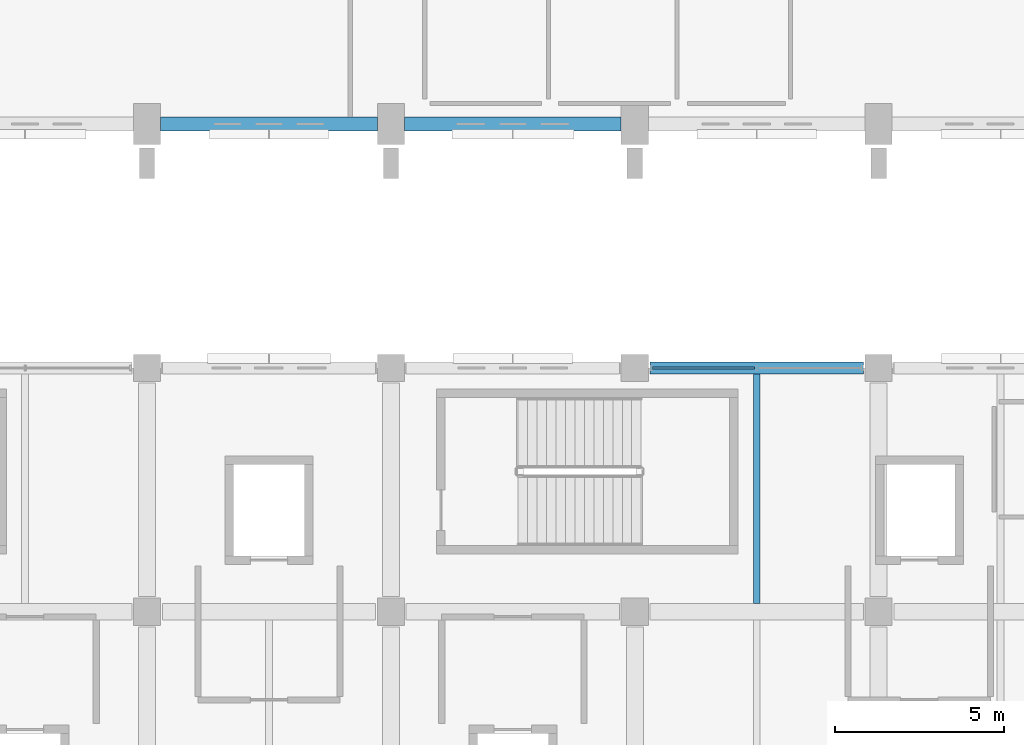
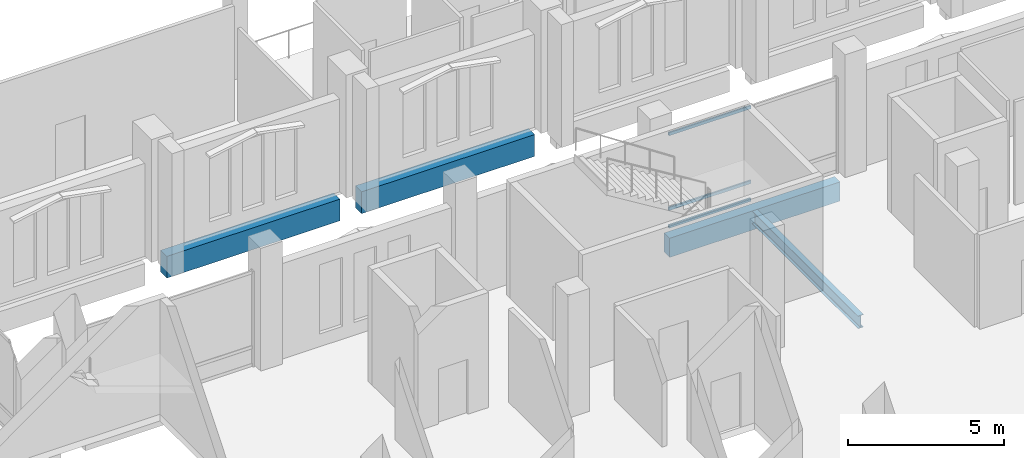
# One storey, part 96 of 220: 4 beams, 3 members, 1 element without a shape of its own.
"""IFC4 building model written with IfcOpenShell, lengths in metres."""

from ifc_helpers import new_model, si_unit, direction, frame, origin, origin_2d, place, context, subcontext, project, spatial, rectangle, hollow_rectangle, i_section, extrude, material, material_profile, profile_set, type_object, element, aggregate, save


model = new_model("IFC4")

# Units and contexts
model_context = context("Model", 3, precision=1e-05, world=origin(), true_north=direction((0.0, 1.0)))
body_context = subcontext(model_context, "Body", "Model", "MODEL_VIEW")
ifc_project = project(units=[si_unit("LENGTHUNIT", "METRE"), si_unit("AREAUNIT", "SQUARE_METRE"), si_unit("VOLUMEUNIT", "CUBIC_METRE"), si_unit("PLANEANGLEUNIT", "RADIAN"), si_unit("MASSUNIT", "GRAM", prefix="KILO")], contexts=[model_context])

# Site, building, storey
site_placement = place(None, origin())
site = spatial("IfcSite", under=ifc_project, at=site_placement, CompositionType="ELEMENT")
building_placement = place(site_placement, origin())
building = spatial("IfcBuilding", under=site, at=building_placement, Name="Cendralis Lancet Convention Centre", CompositionType="ELEMENT")
storey_placement = place(building_placement, frame((0.0, 0.0, 5.39990234375)))
storey = spatial("IfcBuildingStorey", under=building, at=storey_placement, Name="L01", CompositionType="ELEMENT", Elevation=5.39990234375)

# Curtain wall, members
ifc_material_1 = material(Name="Anodised bronze architectural aluminium", Category="aluminium")
curtain_wall_type = type_object("IfcCurtainWallType", Name="ARC-CW-CL02", PredefinedType="USERDEFINED", material=ifc_material_1)
curtain_wall_placement = place(storey_placement, origin())
curtain_wall = element("IfcCurtainWall", 1, at=curtain_wall_placement, inside=storey, type_object=curtain_wall_type, Name="L01 Curtain Wall CW-CL2 #183", ObjectType="CURTAIN WALL", PredefinedType="USERDEFINED")
ifc_material_profile_1 = material_profile(ifc_material_1, hollow_rectangle(XDim=0.06005859375, YDim=0.1201171875, WallThickness=0.00390625, at=origin_2d()), Name="AL-TRAN 60x120x4.0")
ifc_profile_set_1 = profile_set([ifc_material_profile_1], Name="Anodised bronze architectural aluminium")
member_type = type_object("IfcMemberType", Name="ARC-CW-TR01", PredefinedType="USERDEFINED", material=ifc_profile_set_1)
member_1_placement = place(storey_placement, frame((175.7099609375, 36.0, 0.06005859375), z_axis=(1.0, 0.0, 0.0), x_axis=(0.0, 1.0, 0.0)))
member_1 = element("IfcMember", 2, at=member_1_placement, type_object=member_type, Name="Transom CW2-CW-CL2-L01-183-T0BOT", ObjectType="TRANSOM", PredefinedType="USERDEFINED", context=body_context, shape_type="SweptSolid", body=[
    extrude(hollow_rectangle(XDim=0.06005859375, YDim=0.1201171875, WallThickness=0.00390625, at=origin_2d()), origin(), (0.0, 0.0, 1.0), 3.030029296875),
])
member_2_placement = place(storey_placement, frame((175.7099609375, 36.0, 0.75), z_axis=(1.0, 0.0, 0.0), x_axis=(0.0, 1.0, 0.0)))
member_2 = element("IfcMember", 3, at=member_2_placement, type_object=member_type, Name="Transom CW2-CW-CL2-L01-183-T0MID", ObjectType="TRANSOM", PredefinedType="USERDEFINED", context=body_context, shape_type="SweptSolid", body=[
    extrude(hollow_rectangle(XDim=0.06005859375, YDim=0.1201171875, WallThickness=0.00390625, at=origin_2d()), origin(), (0.0, 0.0, 1.0), 3.030029296875),
])
member_3_placement = place(storey_placement, frame((175.7099609375, 36.0, 3.675048828125), z_axis=(1.0, 0.0, 0.0), x_axis=(0.0, 1.0, 0.0)))
member_3 = element("IfcMember", 4, at=member_3_placement, type_object=member_type, Name="Transom CW2-CW-CL2-L01-183-T0TOP", ObjectType="TRANSOM", PredefinedType="USERDEFINED", context=body_context, shape_type="SweptSolid", body=[
    extrude(hollow_rectangle(XDim=0.06005859375, YDim=0.1201171875, WallThickness=0.00390625, at=origin_2d()), origin(), (0.0, 0.0, 1.0), 3.030029296875),
])
aggregate(curtain_wall, [member_1, member_2, member_3])

# Beams
ifc_material_2 = material(Name="Steel S355", Category="steel")
ifc_material_profile_2 = material_profile(ifc_material_2, i_section(OverallWidth=0.199951171875, OverallDepth=0.5, WebThickness=0.01025390625, FlangeThickness=0.01611328125, FilletRadius=0.02099609375, at=origin_2d()), Name="IPE 500")
ifc_profile_set_2 = profile_set([ifc_material_profile_2], Name="Steel S355")
beam_type_1 = type_object("IfcBeamType", Name="STR-JS-BJ06", PredefinedType="JOIST", material=ifc_profile_set_2)
beam_1_placement = place(storey_placement, frame((178.800048828125, 29.050048828125, -0.52978515625), z_axis=(0.0, 1.0, 0.0), x_axis=(-1.0, 0.0, 0.0)))
element("IfcBeam", 5, at=beam_1_placement, inside=storey, type_object=beam_type_1, Name="L01 Beam BJ06 #0241", PredefinedType="JOIST", context=body_context, shape_type="SweptSolid", body=[
    extrude(i_section(OverallWidth=0.199951171875, OverallDepth=0.5, WebThickness=0.01025390625, FlangeThickness=0.01611328125, FilletRadius=0.02099609375, at=origin_2d()), origin(), (0.0, 0.0, 1.0), 6.77490234375),
])
ifc_material_3 = material(Name="Concrete G40 (C40/50)", Category="concrete")
ifc_material_profile_3 = material_profile(ifc_material_3, rectangle(XDim=0.35009765625, YDim=0.75, at=origin_2d()), Name="RCB 350x750")
ifc_profile_set_3 = profile_set([ifc_material_profile_3], Name="Concrete G40 (C40/50)")
beam_type_2 = type_object("IfcBeamType", Name="STR-SP-SP01", PredefinedType="SPANDREL", material=ifc_profile_set_3)
beam_2_placement = place(storey_placement, frame((175.64990234375, 36.0, -0.65478515625), z_axis=(1.0, 0.0, 0.0), x_axis=(0.0, 1.0, 0.0)))
element("IfcBeam", 6, at=beam_2_placement, inside=storey, type_object=beam_type_2, Name="L01 Beam SP01 #0173", PredefinedType="SPANDREL", context=body_context, shape_type="SweptSolid", body=[
    extrude(rectangle(XDim=0.35009765625, YDim=0.75, at=origin_2d()), origin(), (0.0, 0.0, 1.0), 6.300048828125),
])
ifc_material_profile_4 = material_profile(ifc_material_3, rectangle(XDim=0.39990234375, YDim=0.85009765625, at=origin_2d()), Name="RCB 400x850")
ifc_profile_set_4 = profile_set([ifc_material_profile_4], Name="Concrete G40 (C40/50)")
beam_type_3 = type_object("IfcBeamType", Name="STR-SP-SP02", PredefinedType="SPANDREL", material=ifc_profile_set_4)
for number, where, z_axis, x_axis, name in (
    (7, (161.199951171875, 43.199951171875, -0.704833984375), (1.0, 0.0, 0.0), (0.0, 1.0, 0.0), "L01 Beam SP02 #1397"),
    (8, (168.39990234375, 43.199951171875, -0.704833984375), (1.0, 0.0, 0.0), (0.0, 1.0, 0.0), "L01 Beam SP02 #1398"),
):
    element("IfcBeam", number, at=place(storey_placement, frame(where, z_axis=z_axis, x_axis=x_axis)), inside=storey, type_object=beam_type_3, Name=name, PredefinedType="SPANDREL", context=body_context, shape_type="SweptSolid", body=[
        extrude(rectangle(XDim=0.39990234375, YDim=0.85009765625, at=origin_2d()), origin(), (0.0, 0.0, 1.0), 6.400146484375),
    ])

save(model, "model.ifc")
